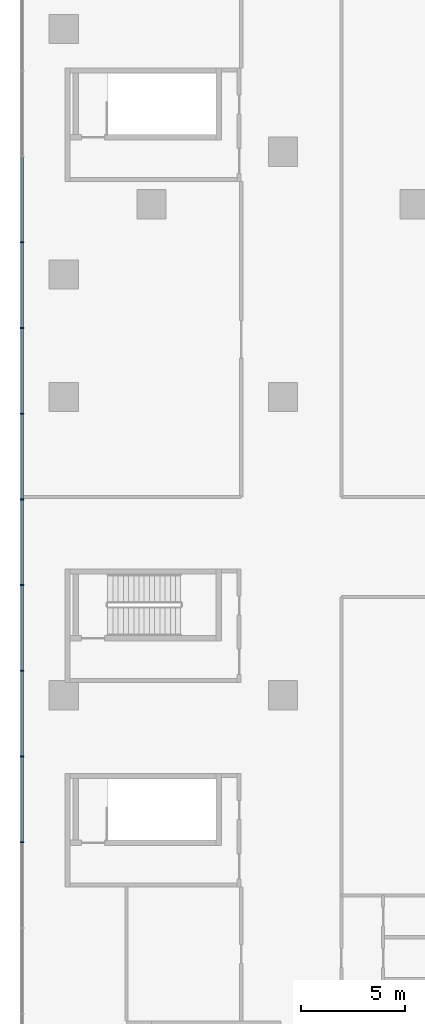
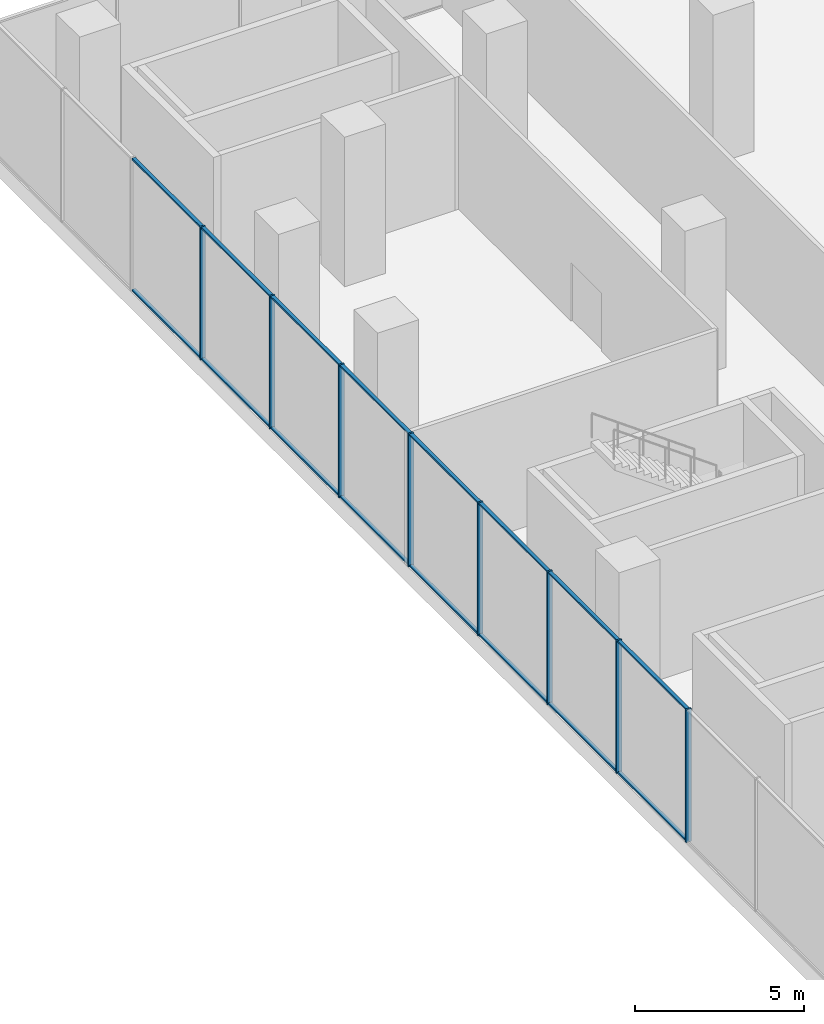
# One storey, part 6 of 21: 24 members, 1 element without a shape of its own.
"""IFC4 building model written with IfcOpenShell, lengths in metres."""

from ifc_helpers import new_model, si_unit, direction, frame, origin, origin_2d, place, context, subcontext, project, spatial, rectangle, extrude, source, transform, mapped, material, layer, layer_set, material_profile, profile_set, type_object, element, aggregate, save


model = new_model("IFC4")

# Units and contexts
model_context = context("Model", 3, precision=1e-05, world=origin(), true_north=direction((0.0, 1.0)))
body_context = subcontext(model_context, "Body", "Model", "MODEL_VIEW")
ifc_project = project(units=[si_unit("LENGTHUNIT", "METRE"), si_unit("AREAUNIT", "SQUARE_METRE"), si_unit("VOLUMEUNIT", "CUBIC_METRE"), si_unit("PLANEANGLEUNIT", "RADIAN"), si_unit("MASSUNIT", "GRAM", prefix="KILO")], contexts=[model_context])

# Site, building, storey
site_placement = place(None, origin())
site = spatial("IfcSite", under=ifc_project, at=site_placement, CompositionType="ELEMENT")
building_placement = place(site_placement, origin())
building = spatial("IfcBuilding", under=site, at=building_placement, Name="Aurelian Terraces", CompositionType="ELEMENT")
storey_placement = place(building_placement, frame((0.0, 0.0, 29.1)))
storey = spatial("IfcBuildingStorey", under=building, at=storey_placement, Name="L05", CompositionType="ELEMENT", Elevation=29.1)

# Curtain wall, members
ifc_material_1 = material(Name="Anodised aluminium and clear glazing", Category="aluminium")
ifc_layer = layer(ifc_material_1, 0.2)
ifc_layer_set = layer_set([ifc_layer], Name="Winter garden glazing curtain wall")
curtain_wall_type = type_object("IfcCurtainWallType", Name="Winter garden glazing curtain wall", PredefinedType="NOTDEFINED", material=ifc_layer_set)
curtain_wall_placement = place(storey_placement, origin())
curtain_wall = element("IfcCurtainWall", 1, at=curtain_wall_placement, inside=storey, type_object=curtain_wall_type, Name="Winter garden glazing L05 F06.1", PredefinedType="NOTDEFINED")
ifc_material_2 = material(Name="Anodised aluminium", Category="aluminium")
ifc_material_profile_1 = material_profile(ifc_material_2, rectangle(XDim=0.18, YDim=0.06, at=origin_2d()))
ifc_profile_set_1 = profile_set([ifc_material_profile_1], Name="Anodised aluminium")
member_type_1 = type_object("IfcMemberType", Name="Winter garden glazing mullion", PredefinedType="MULLION", material=ifc_profile_set_1)
shared_shape_1 = source(origin(), body_context, "Body", "SweptSolid", [
    extrude(rectangle(XDim=0.18, YDim=0.06, at=origin_2d()), origin(), (0.0, 0.0, 1.0), 4.8),
])
member_1_placement = place(storey_placement, frame((-2.0, 59.5, 0.0), z_axis=(0.0, 0.0, 1.0), x_axis=(1.0, 0.0, 0.0)))
member_1 = element("IfcMember", 2, at=member_1_placement, type_object=member_type_1, Name="CW6 mullion 4", PredefinedType="MULLION", context=body_context, shape_type="MappedRepresentation", body=[
    mapped(shared_shape_1, transform((0.0, 0.0, 0.0), scale=1.0)),
])
member_2_placement = place(storey_placement, frame((-2.0, 55.3933, 0.0), z_axis=(0.0, 0.0, 1.0), x_axis=(1.0, 0.0, 0.0)))
member_2 = element("IfcMember", 3, at=member_2_placement, type_object=member_type_1, Name="CW6 mullion 5", PredefinedType="MULLION", context=body_context, shape_type="MappedRepresentation", body=[
    mapped(shared_shape_1, transform((0.0, 0.0, 0.0), scale=1.0)),
])
member_3_placement = place(storey_placement, frame((-2.0, 51.2867, 0.0), z_axis=(0.0, 0.0, 1.0), x_axis=(1.0, 0.0, 0.0)))
member_3 = element("IfcMember", 4, at=member_3_placement, type_object=member_type_1, Name="CW6 mullion 6", PredefinedType="MULLION", context=body_context, shape_type="MappedRepresentation", body=[
    mapped(shared_shape_1, transform((0.0, 0.0, 0.0), scale=1.0)),
])
member_4_placement = place(storey_placement, frame((-2.0, 47.18, 0.0), z_axis=(0.0, 0.0, 1.0), x_axis=(1.0, 0.0, 0.0)))
member_4 = element("IfcMember", 5, at=member_4_placement, type_object=member_type_1, Name="CW6 mullion 7", PredefinedType="MULLION", context=body_context, shape_type="MappedRepresentation", body=[
    mapped(shared_shape_1, transform((0.0, 0.0, 0.0), scale=1.0)),
])
member_5_placement = place(storey_placement, frame((-2.0, 43.0733, 0.0), z_axis=(0.0, 0.0, 1.0), x_axis=(1.0, 0.0, 0.0)))
member_5 = element("IfcMember", 6, at=member_5_placement, type_object=member_type_1, Name="CW6 mullion 8", PredefinedType="MULLION", context=body_context, shape_type="MappedRepresentation", body=[
    mapped(shared_shape_1, transform((0.0, 0.0, 0.0), scale=1.0)),
])
member_6_placement = place(storey_placement, frame((-2.0, 38.9667, 0.0), z_axis=(0.0, 0.0, 1.0), x_axis=(1.0, 0.0, 0.0)))
member_6 = element("IfcMember", 7, at=member_6_placement, type_object=member_type_1, Name="CW6 mullion 9", PredefinedType="MULLION", context=body_context, shape_type="MappedRepresentation", body=[
    mapped(shared_shape_1, transform((0.0, 0.0, 0.0), scale=1.0)),
])
member_7_placement = place(storey_placement, frame((-2.0, 34.86, 0.0), z_axis=(0.0, 0.0, 1.0), x_axis=(1.0, 0.0, 0.0)))
member_7 = element("IfcMember", 8, at=member_7_placement, type_object=member_type_1, Name="CW6 mullion 10", PredefinedType="MULLION", context=body_context, shape_type="MappedRepresentation", body=[
    mapped(shared_shape_1, transform((0.0, 0.0, 0.0), scale=1.0)),
])
member_8_placement = place(storey_placement, frame((-2.0, 30.7533, 0.0), z_axis=(0.0, 0.0, 1.0), x_axis=(1.0, 0.0, 0.0)))
member_8 = element("IfcMember", 9, at=member_8_placement, type_object=member_type_1, Name="CW6 mullion 11", PredefinedType="MULLION", context=body_context, shape_type="MappedRepresentation", body=[
    mapped(shared_shape_1, transform((0.0, 0.0, 0.0), scale=1.0)),
])
ifc_material_profile_2 = material_profile(ifc_material_2, rectangle(XDim=0.12, YDim=0.06, at=origin_2d()))
ifc_profile_set_2 = profile_set([ifc_material_profile_2], Name="Anodised aluminium")
member_type_2 = type_object("IfcMemberType", Name="Winter garden glazing transom", PredefinedType="USERDEFINED", material=ifc_profile_set_2)
shared_shape_2 = source(origin(), body_context, "Body", "SweptSolid", [
    extrude(rectangle(XDim=0.12, YDim=0.06, at=origin_2d()), origin(), (0.0, 0.0, 1.0), 4.0466),
])
member_9_placement = place(storey_placement, frame((-2.0, 55.3633, 0.03), z_axis=(0.0, -1.0, 0.0), x_axis=(1.0, 0.0, 0.0)))
member_9 = element("IfcMember", 10, at=member_9_placement, type_object=member_type_2, Name="CW6 transom 5.1", ObjectType="TRANSOM", PredefinedType="USERDEFINED", context=body_context, shape_type="MappedRepresentation", body=[
    mapped(shared_shape_2, transform((0.0, 0.0, 0.0), scale=1.0)),
])
member_10_placement = place(storey_placement, frame((-2.0, 55.3633, 4.77), z_axis=(0.0, -1.0, 0.0), x_axis=(1.0, 0.0, 0.0)))
member_10 = element("IfcMember", 11, at=member_10_placement, type_object=member_type_2, Name="CW6 transom 5.2", ObjectType="TRANSOM", PredefinedType="USERDEFINED", context=body_context, shape_type="MappedRepresentation", body=[
    mapped(shared_shape_2, transform((0.0, 0.0, 0.0), scale=1.0)),
])
member_11_placement = place(storey_placement, frame((-2.0, 43.0433, 0.03), z_axis=(0.0, -1.0, 0.0), x_axis=(1.0, 0.0, 0.0)))
member_11 = element("IfcMember", 12, at=member_11_placement, type_object=member_type_2, Name="CW6 transom 8.1", ObjectType="TRANSOM", PredefinedType="USERDEFINED", context=body_context, shape_type="MappedRepresentation", body=[
    mapped(shared_shape_2, transform((0.0, 0.0, 0.0), scale=1.0)),
])
member_12_placement = place(storey_placement, frame((-2.0, 43.0433, 4.77), z_axis=(0.0, -1.0, 0.0), x_axis=(1.0, 0.0, 0.0)))
member_12 = element("IfcMember", 13, at=member_12_placement, type_object=member_type_2, Name="CW6 transom 8.2", ObjectType="TRANSOM", PredefinedType="USERDEFINED", context=body_context, shape_type="MappedRepresentation", body=[
    mapped(shared_shape_2, transform((0.0, 0.0, 0.0), scale=1.0)),
])
shared_shape_3 = source(origin(), body_context, "Body", "SweptSolid", [
    extrude(rectangle(XDim=0.12, YDim=0.06, at=origin_2d()), origin(), (0.0, 0.0, 1.0), 4.0467),
])
member_13_placement = place(storey_placement, frame((-2.0, 63.5767, 0.03), z_axis=(0.0, -1.0, 0.0), x_axis=(1.0, 0.0, 0.0)))
member_13 = element("IfcMember", 14, at=member_13_placement, type_object=member_type_2, Name="CW6 transom 3.1", ObjectType="TRANSOM", PredefinedType="USERDEFINED", context=body_context, shape_type="MappedRepresentation", body=[
    mapped(shared_shape_3, transform((0.0, 0.0, 0.0), scale=1.0)),
])
member_14_placement = place(storey_placement, frame((-2.0, 63.5767, 4.77), z_axis=(0.0, -1.0, 0.0), x_axis=(1.0, 0.0, 0.0)))
member_14 = element("IfcMember", 15, at=member_14_placement, type_object=member_type_2, Name="CW6 transom 3.2", ObjectType="TRANSOM", PredefinedType="USERDEFINED", context=body_context, shape_type="MappedRepresentation", body=[
    mapped(shared_shape_3, transform((0.0, 0.0, 0.0), scale=1.0)),
])
member_15_placement = place(storey_placement, frame((-2.0, 59.47, 0.03), z_axis=(0.0, -1.0, 0.0), x_axis=(1.0, 0.0, 0.0)))
member_15 = element("IfcMember", 16, at=member_15_placement, type_object=member_type_2, Name="CW6 transom 4.1", ObjectType="TRANSOM", PredefinedType="USERDEFINED", context=body_context, shape_type="MappedRepresentation", body=[
    mapped(shared_shape_3, transform((0.0, 0.0, 0.0), scale=1.0)),
])
member_16_placement = place(storey_placement, frame((-2.0, 59.47, 4.77), z_axis=(0.0, -1.0, 0.0), x_axis=(1.0, 0.0, 0.0)))
member_16 = element("IfcMember", 17, at=member_16_placement, type_object=member_type_2, Name="CW6 transom 4.2", ObjectType="TRANSOM", PredefinedType="USERDEFINED", context=body_context, shape_type="MappedRepresentation", body=[
    mapped(shared_shape_3, transform((0.0, 0.0, 0.0), scale=1.0)),
])
member_17_placement = place(storey_placement, frame((-2.0, 51.2567, 0.03), z_axis=(0.0, -1.0, 0.0), x_axis=(1.0, 0.0, 0.0)))
member_17 = element("IfcMember", 18, at=member_17_placement, type_object=member_type_2, Name="CW6 transom 6.1", ObjectType="TRANSOM", PredefinedType="USERDEFINED", context=body_context, shape_type="MappedRepresentation", body=[
    mapped(shared_shape_3, transform((0.0, 0.0, 0.0), scale=1.0)),
])
member_18_placement = place(storey_placement, frame((-2.0, 51.2567, 4.77), z_axis=(0.0, -1.0, 0.0), x_axis=(1.0, 0.0, 0.0)))
member_18 = element("IfcMember", 19, at=member_18_placement, type_object=member_type_2, Name="CW6 transom 6.2", ObjectType="TRANSOM", PredefinedType="USERDEFINED", context=body_context, shape_type="MappedRepresentation", body=[
    mapped(shared_shape_3, transform((0.0, 0.0, 0.0), scale=1.0)),
])
member_19_placement = place(storey_placement, frame((-2.0, 47.15, 0.03), z_axis=(0.0, -1.0, 0.0), x_axis=(1.0, 0.0, 0.0)))
member_19 = element("IfcMember", 20, at=member_19_placement, type_object=member_type_2, Name="CW6 transom 7.1", ObjectType="TRANSOM", PredefinedType="USERDEFINED", context=body_context, shape_type="MappedRepresentation", body=[
    mapped(shared_shape_3, transform((0.0, 0.0, 0.0), scale=1.0)),
])
member_20_placement = place(storey_placement, frame((-2.0, 47.15, 4.77), z_axis=(0.0, -1.0, 0.0), x_axis=(1.0, 0.0, 0.0)))
member_20 = element("IfcMember", 21, at=member_20_placement, type_object=member_type_2, Name="CW6 transom 7.2", ObjectType="TRANSOM", PredefinedType="USERDEFINED", context=body_context, shape_type="MappedRepresentation", body=[
    mapped(shared_shape_3, transform((0.0, 0.0, 0.0), scale=1.0)),
])
member_21_placement = place(storey_placement, frame((-2.0, 38.9367, 0.03), z_axis=(0.0, -1.0, 0.0), x_axis=(1.0, 0.0, 0.0)))
member_21 = element("IfcMember", 22, at=member_21_placement, type_object=member_type_2, Name="CW6 transom 9.1", ObjectType="TRANSOM", PredefinedType="USERDEFINED", context=body_context, shape_type="MappedRepresentation", body=[
    mapped(shared_shape_3, transform((0.0, 0.0, 0.0), scale=1.0)),
])
member_22_placement = place(storey_placement, frame((-2.0, 38.9367, 4.77), z_axis=(0.0, -1.0, 0.0), x_axis=(1.0, 0.0, 0.0)))
member_22 = element("IfcMember", 23, at=member_22_placement, type_object=member_type_2, Name="CW6 transom 9.2", ObjectType="TRANSOM", PredefinedType="USERDEFINED", context=body_context, shape_type="MappedRepresentation", body=[
    mapped(shared_shape_3, transform((0.0, 0.0, 0.0), scale=1.0)),
])
member_23_placement = place(storey_placement, frame((-2.0, 34.83, 0.03), z_axis=(0.0, -1.0, 0.0), x_axis=(1.0, 0.0, 0.0)))
member_23 = element("IfcMember", 24, at=member_23_placement, type_object=member_type_2, Name="CW6 transom 10.1", ObjectType="TRANSOM", PredefinedType="USERDEFINED", context=body_context, shape_type="MappedRepresentation", body=[
    mapped(shared_shape_3, transform((0.0, 0.0, 0.0), scale=1.0)),
])
member_24_placement = place(storey_placement, frame((-2.0, 34.83, 4.77), z_axis=(0.0, -1.0, 0.0), x_axis=(1.0, 0.0, 0.0)))
member_24 = element("IfcMember", 25, at=member_24_placement, type_object=member_type_2, Name="CW6 transom 10.2", ObjectType="TRANSOM", PredefinedType="USERDEFINED", context=body_context, shape_type="MappedRepresentation", body=[
    mapped(shared_shape_3, transform((0.0, 0.0, 0.0), scale=1.0)),
])
aggregate(curtain_wall, [member_1, member_2, member_3, member_4, member_5, member_6, member_7, member_8, member_13, member_14, member_15, member_16, member_9, member_10, member_17, member_18, member_19, member_20, member_11, member_12, member_21, member_22, member_23, member_24])

save(model, "model.ifc")
